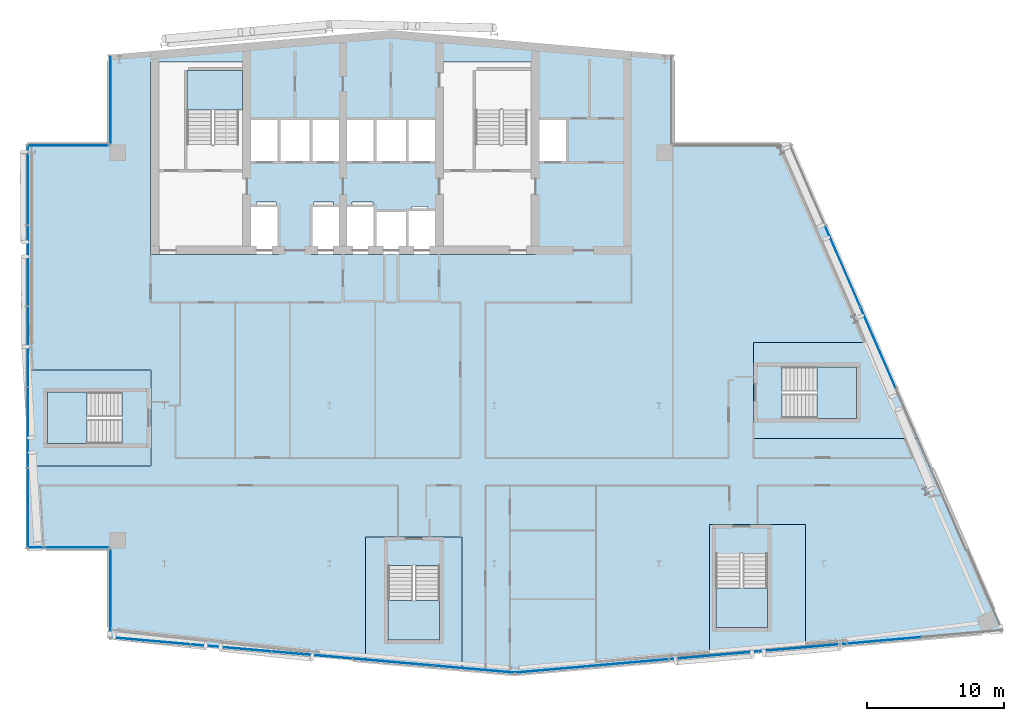
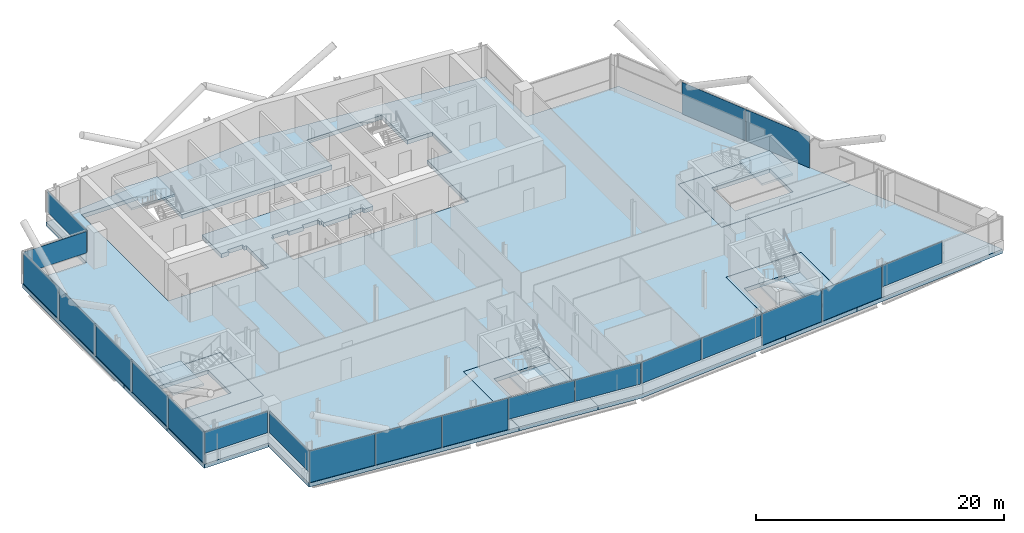
# One storey, part 13 of 26: 21 plates, 10 slabs, 13 elements without a shape of their own.
"""IFC4 building model written with IfcOpenShell, lengths in metres."""

from ifc_helpers import new_model, si_unit, direction, frame, origin, origin_2d, place, context, subcontext, project, spatial, polyline, rectangle, outline, extrude, material, layer, layer_set, type_object, element, aggregate, save


model = new_model("IFC4")

# Units and contexts
model_context = context("Model", 3, precision=1e-05, world=origin(), true_north=direction((0.0, 1.0)))
body_context = subcontext(model_context, "Body", "Model", "MODEL_VIEW")
ifc_project = project(units=[si_unit("LENGTHUNIT", "METRE"), si_unit("AREAUNIT", "SQUARE_METRE"), si_unit("VOLUMEUNIT", "CUBIC_METRE"), si_unit("PLANEANGLEUNIT", "RADIAN"), si_unit("MASSUNIT", "GRAM", prefix="KILO")], contexts=[model_context])

# Site, building, storey
site_placement = place(None, origin())
site = spatial("IfcSite", under=ifc_project, at=site_placement, CompositionType="ELEMENT")
building_placement = place(site_placement, origin())
building = spatial("IfcBuilding", under=site, at=building_placement, Name="Wharfspan Tower", CompositionType="ELEMENT")
storey_placement = place(building_placement, frame((0.0, 0.0, 214.300049)))
storey = spatial("IfcBuildingStorey", under=building, at=storey_placement, Name="L53", CompositionType="ELEMENT", Elevation=214.300049)

# Curtain wall, plates
ifc_material_1 = material(Name="Aluminium 6063-T6", Category="aluminium")
curtain_wall_type_1 = type_object("IfcCurtainWallType", Name="CURTAIN WALL FACETED FRONT", PredefinedType="NOTDEFINED", material=ifc_material_1)
curtain_wall_1_placement = place(storey_placement, origin())
curtain_wall_1 = element("IfcCurtainWall", 1, at=curtain_wall_1_placement, inside=storey, type_object=curtain_wall_type_1, Name="Curtain wall S1", PredefinedType="NOTDEFINED")
ifc_material_2 = material(Name="Glass clear low-iron double glazing", Category="glass")
ifc_layer_1 = layer(ifc_material_2, 0.040039)
ifc_layer_set_1 = layer_set([ifc_layer_1], Name="Glass clear low-iron double glazing")
plate_type_1 = type_object("IfcPlateType", Name="GLASS PANEL FACETED FRONT 40", PredefinedType="CURTAIN_PANEL", material=ifc_layer_set_1)
plate_1_placement = place(storey_placement, frame((40.655273, 4.328125, 1.0), z_axis=(0.0, 0.0, 1.0), x_axis=(0.996197, -0.087156, 0.0)))
plate_1 = element("IfcPlate", 2, at=plate_1_placement, type_object=plate_type_1, Name="Curtain wall S1 panel 4", PredefinedType="CURTAIN_PANEL", context=body_context, shape_type="SweptSolid", body=[
    extrude(rectangle(XDim=5.862549, YDim=0.040039, at=origin_2d()), origin(), (0.0, 0.0, 1.0), 2.120117),
])
plate_2_placement = place(storey_placement, frame((46.540283, 3.813232, 1.0), z_axis=(0.0, 0.0, 1.0), x_axis=(0.996197, -0.087156, 0.0)))
plate_2 = element("IfcPlate", 3, at=plate_2_placement, type_object=plate_type_1, Name="Curtain wall S1 panel 5", PredefinedType="CURTAIN_PANEL", context=body_context, shape_type="SweptSolid", body=[
    extrude(rectangle(XDim=5.83252, YDim=0.040039, at=origin_2d()), origin(), (0.0, 0.0, 1.0), 2.120117),
])

curtain_wall_2_placement = place(storey_placement, origin())
curtain_wall_2 = element("IfcCurtainWall", 4, at=curtain_wall_2_placement, inside=storey, type_object=curtain_wall_type_1, Name="Curtain wall S2", PredefinedType="NOTDEFINED")
plate_3_placement = place(storey_placement, frame((52.468018, 3.813965, 1.0), z_axis=(0.0, 0.0, 1.0), x_axis=(0.996197, 0.087156, 0.0)))
plate_3 = element("IfcPlate", 5, at=plate_3_placement, type_object=plate_type_1, Name="Curtain wall S2 panel 1", PredefinedType="CURTAIN_PANEL", context=body_context, shape_type="SweptSolid", body=[
    extrude(rectangle(XDim=5.849365, YDim=0.040039, at=origin_2d()), origin(), (0.0, 0.0, 1.0), 2.120117),
])
plate_4_placement = place(storey_placement, frame((58.369873, 4.330322, 1.0), z_axis=(0.0, 0.0, 1.0), x_axis=(0.996197, 0.087156, 0.0)))
plate_4 = element("IfcPlate", 6, at=plate_4_placement, type_object=plate_type_1, Name="Curtain wall S2 panel 2", PredefinedType="CURTAIN_PANEL", context=body_context, shape_type="SweptSolid", body=[
    extrude(rectangle(XDim=5.87915, YDim=0.040039, at=origin_2d()), origin(), (0.0, 0.0, 1.0), 2.120117),
])
plate_5_placement = place(storey_placement, frame((76.119873, 5.883301, 1.0), z_axis=(0.0, 0.0, 1.0), x_axis=(0.996197, 0.087156, 0.0)))
plate_5 = element("IfcPlate", 7, at=plate_5_placement, type_object=plate_type_1, Name="Curtain wall S2 panel 5", PredefinedType="CURTAIN_PANEL", context=body_context, shape_type="SweptSolid", body=[
    extrude(rectangle(XDim=5.87915, YDim=0.040039, at=origin_2d()), origin(), (0.0, 0.0, 1.0), 2.120117),
])

# Curtain wall, plate
curtain_wall_type_2 = type_object("IfcCurtainWallType", Name="CURTAIN WALL PROW AND END", PredefinedType="NOTDEFINED", material=ifc_material_1)
curtain_wall_3_placement = place(storey_placement, origin())
curtain_wall_3 = element("IfcCurtainWall", 8, at=curtain_wall_3_placement, inside=storey, type_object=curtain_wall_type_2, Name="Curtain wall NRW-V", PredefinedType="NOTDEFINED")
ifc_layer_2 = layer(ifc_material_2, 0.040039)
ifc_layer_set_2 = layer_set([ifc_layer_2], Name="Glass clear low-iron double glazing")
plate_type_2 = type_object("IfcPlateType", Name="GLASS PANEL PROW AND END 40", PredefinedType="CURTAIN_PANEL", material=ifc_layer_set_2)
plate_6_placement = place(storey_placement, frame((20.080078, 45.262451, 1.0), z_axis=(0.0, 0.0, 1.0), x_axis=(0.0, -1.0, 0.0)))
plate_6 = element("IfcPlate", 9, at=plate_6_placement, type_object=plate_type_2, Name="Curtain wall NRW-V panel 1", PredefinedType="CURTAIN_PANEL", context=body_context, shape_type="SweptSolid", body=[
    extrude(rectangle(XDim=6.405029, YDim=0.040039, at=origin_2d()), origin(), (0.0, 0.0, 1.0), 2.120117),
])
aggregate(curtain_wall_3, [plate_6])

curtain_wall_4_placement = place(storey_placement, origin())
curtain_wall_4 = element("IfcCurtainWall", 10, at=curtain_wall_4_placement, inside=storey, type_object=curtain_wall_type_2, Name="Curtain wall NRW-H", PredefinedType="NOTDEFINED")
plate_7_placement = place(storey_placement, frame((17.0, 41.919922, 1.0), z_axis=(0.0, 0.0, 1.0), x_axis=(-1.0, 0.0, 0.0)))
plate_7 = element("IfcPlate", 11, at=plate_7_placement, type_object=plate_type_2, Name="Curtain wall NRW-H panel 1", PredefinedType="CURTAIN_PANEL", context=body_context, shape_type="SweptSolid", body=[
    extrude(rectangle(XDim=5.879883, YDim=0.040039, at=origin_2d()), origin(), (0.0, 0.0, 1.0), 2.120117),
])
aggregate(curtain_wall_4, [plate_7])

curtain_wall_5_placement = place(storey_placement, origin())
curtain_wall_5 = element("IfcCurtainWall", 12, at=curtain_wall_5_placement, inside=storey, type_object=curtain_wall_type_2, Name="Curtain wall NFW-H", PredefinedType="NOTDEFINED")
plate_8_placement = place(storey_placement, frame((17.0, 12.679932, 1.0), z_axis=(0.0, 0.0, 1.0), x_axis=(1.0, 0.0, 0.0)))
plate_8 = element("IfcPlate", 13, at=plate_8_placement, type_object=plate_type_2, Name="Curtain wall NFW-H panel 1", PredefinedType="CURTAIN_PANEL", context=body_context, shape_type="SweptSolid", body=[
    extrude(rectangle(XDim=5.879883, YDim=0.040039, at=origin_2d()), origin(), (0.0, 0.0, 1.0), 2.120117),
])
aggregate(curtain_wall_5, [plate_8])

curtain_wall_6_placement = place(storey_placement, origin())
curtain_wall_6 = element("IfcCurtainWall", 14, at=curtain_wall_6_placement, inside=storey, type_object=curtain_wall_type_2, Name="Curtain wall NFW-V", PredefinedType="NOTDEFINED")
plate_9_placement = place(storey_placement, frame((20.080078, 9.337646, 1.0), z_axis=(0.0, 0.0, 1.0), x_axis=(0.0, -1.0, 0.0)))
plate_9 = element("IfcPlate", 15, at=plate_9_placement, type_object=plate_type_2, Name="Curtain wall NFW-V panel 1", PredefinedType="CURTAIN_PANEL", context=body_context, shape_type="SweptSolid", body=[
    extrude(rectangle(XDim=6.405029, YDim=0.040039, at=origin_2d()), origin(), (0.0, 0.0, 1.0), 2.120117),
])
aggregate(curtain_wall_6, [plate_9])

# Plate
ifc_material_3 = material(Name="Aluminium composite opaque insulated panel", Category="aluminium")
ifc_layer_3 = layer(ifc_material_3, 0.040039)
ifc_layer_set_3 = layer_set([ifc_layer_3], Name="Aluminium composite opaque insulated panel")
plate_type_3 = type_object("IfcPlateType", Name="INFILL PANEL FACETED FRONT OPAQUE 40", PredefinedType="SHEET", material=ifc_layer_set_3)
plate_10_placement = place(storey_placement, frame((22.970215, 5.875488, 0.0), z_axis=(0.0, 0.0, 1.0), x_axis=(0.996197, -0.087156, 0.0)))
plate_10 = element("IfcPlate", 16, at=plate_10_placement, type_object=plate_type_3, Name="Curtain wall S1 panel 1", PredefinedType="SHEET", context=body_context, shape_type="SweptSolid", body=[
    extrude(rectangle(XDim=5.83252, YDim=0.040039, at=origin_2d()), origin(), (0.0, 0.0, 1.0), 3.120117),
])

plate_11_placement = place(storey_placement, frame((28.855225, 5.360596, 0.0), z_axis=(0.0, 0.0, 1.0), x_axis=(0.996197, -0.087156, 0.0)))
plate_11 = element("IfcPlate", 17, at=plate_11_placement, type_object=plate_type_3, Name="Curtain wall S1 panel 2", PredefinedType="SHEET", context=body_context, shape_type="SweptSolid", body=[
    extrude(rectangle(XDim=5.862549, YDim=0.040039, at=origin_2d()), origin(), (0.0, 0.0, 1.0), 3.120117),
])

plate_12_placement = place(storey_placement, frame((34.755127, 4.844482, 0.0), z_axis=(0.0, 0.0, 1.0), x_axis=(0.996197, -0.087156, 0.0)))
plate_12 = element("IfcPlate", 18, at=plate_12_placement, type_object=plate_type_3, Name="Curtain wall S1 panel 3", PredefinedType="SHEET", context=body_context, shape_type="SweptSolid", body=[
    extrude(rectangle(XDim=5.862549, YDim=0.040039, at=origin_2d()), origin(), (0.0, 0.0, 1.0), 3.120117),
])

aggregate(curtain_wall_1, [plate_10, plate_11, plate_12, plate_1, plate_2])

plate_13_placement = place(storey_placement, frame((64.286377, 4.848145, 0.0), z_axis=(0.0, 0.0, 1.0), x_axis=(0.996197, 0.087156, 0.0)))
plate_13 = element("IfcPlate", 19, at=plate_13_placement, type_object=plate_type_3, Name="Curtain wall S2 panel 3", PredefinedType="SHEET", context=body_context, shape_type="SweptSolid", body=[
    extrude(rectangle(XDim=5.87915, YDim=0.040039, at=origin_2d()), origin(), (0.0, 0.0, 1.0), 3.120117),
])

plate_14_placement = place(storey_placement, frame((70.203125, 5.365723, 0.0), z_axis=(0.0, 0.0, 1.0), x_axis=(0.996197, 0.087156, 0.0)))
plate_14 = element("IfcPlate", 20, at=plate_14_placement, type_object=plate_type_3, Name="Curtain wall S2 panel 4", PredefinedType="SHEET", context=body_context, shape_type="SweptSolid", body=[
    extrude(rectangle(XDim=5.87915, YDim=0.040039, at=origin_2d()), origin(), (0.0, 0.0, 1.0), 3.120117),
])

aggregate(curtain_wall_2, [plate_3, plate_4, plate_13, plate_14, plate_5])

# Curtain wall, plates
curtain_wall_7_placement = place(storey_placement, origin())
curtain_wall_7 = element("IfcCurtainWall", 21, at=curtain_wall_7_placement, inside=storey, type_object=curtain_wall_type_2, Name="Curtain wall E", PredefinedType="NOTDEFINED")
ifc_layer_4 = layer(ifc_material_3, 0.040039)
ifc_layer_set_4 = layer_set([ifc_layer_4], Name="Aluminium composite opaque insulated panel")
plate_type_4 = type_object("IfcPlateType", Name="INFILL PANEL PROW AND END OPAQUE 40", PredefinedType="SHEET", material=ifc_layer_set_4)
plate_15_placement = place(storey_placement, frame((75.948486, 27.218018, 0.0), z_axis=(0.0, 0.0, 1.0), x_axis=(-0.398727, 0.917072, 0.0)))
plate_15 = element("IfcPlate", 22, at=plate_15_placement, type_object=plate_type_4, Name="Curtain wall E panel 4", PredefinedType="SHEET", context=body_context, shape_type="SweptSolid", body=[
    extrude(rectangle(XDim=6.373535, YDim=0.040039, at=origin_2d()), origin(), (0.0, 0.0, 1.0), 3.120117),
])
plate_16_placement = place(storey_placement, frame((73.383057, 33.118164, 0.0), z_axis=(0.0, 0.0, 1.0), x_axis=(-0.398727, 0.917072, 0.0)))
plate_16 = element("IfcPlate", 23, at=plate_16_placement, type_object=plate_type_4, Name="Curtain wall E panel 5", PredefinedType="SHEET", context=body_context, shape_type="SweptSolid", body=[
    extrude(rectangle(XDim=6.373535, YDim=0.040039, at=origin_2d()), origin(), (0.0, 0.0, 1.0), 3.120117),
])
aggregate(curtain_wall_7, [plate_15, plate_16])

curtain_wall_8_placement = place(storey_placement, origin())
curtain_wall_8 = element("IfcCurtainWall", 24, at=curtain_wall_8_placement, inside=storey, type_object=curtain_wall_type_2, Name="Curtain wall W", PredefinedType="NOTDEFINED")
plate_17_placement = place(storey_placement, frame((14.080078, 39.044922, 0.0), z_axis=(0.0, 0.0, 1.0), x_axis=(0.0, -1.0, 0.0)))
plate_17 = element("IfcPlate", 25, at=plate_17_placement, type_object=plate_type_4, Name="Curtain wall W panel 1", PredefinedType="SHEET", context=body_context, shape_type="SweptSolid", body=[
    extrude(rectangle(XDim=5.790039, YDim=0.040039, at=origin_2d()), origin(), (0.0, 0.0, 1.0), 3.120117),
])
plate_18_placement = place(storey_placement, frame((14.080078, 33.179932, 0.0), z_axis=(0.0, 0.0, 1.0), x_axis=(0.0, -1.0, 0.0)))
plate_18 = element("IfcPlate", 26, at=plate_18_placement, type_object=plate_type_4, Name="Curtain wall W panel 2", PredefinedType="SHEET", context=body_context, shape_type="SweptSolid", body=[
    extrude(rectangle(XDim=5.820068, YDim=0.040039, at=origin_2d()), origin(), (0.0, 0.0, 1.0), 3.120117),
])
plate_19_placement = place(storey_placement, frame((14.080078, 27.300049, 0.0), z_axis=(0.0, 0.0, 1.0), x_axis=(0.0, -1.0, 0.0)))
plate_19 = element("IfcPlate", 27, at=plate_19_placement, type_object=plate_type_4, Name="Curtain wall W panel 3", PredefinedType="SHEET", context=body_context, shape_type="SweptSolid", body=[
    extrude(rectangle(XDim=5.820068, YDim=0.040039, at=origin_2d()), origin(), (0.0, 0.0, 1.0), 3.120117),
])
plate_20_placement = place(storey_placement, frame((14.080078, 21.419922, 0.0), z_axis=(0.0, 0.0, 1.0), x_axis=(0.0, -1.0, 0.0)))
plate_20 = element("IfcPlate", 28, at=plate_20_placement, type_object=plate_type_4, Name="Curtain wall W panel 4", PredefinedType="SHEET", context=body_context, shape_type="SweptSolid", body=[
    extrude(rectangle(XDim=5.820068, YDim=0.040039, at=origin_2d()), origin(), (0.0, 0.0, 1.0), 3.120117),
])
plate_21_placement = place(storey_placement, frame((14.080078, 15.554932, 0.0), z_axis=(0.0, 0.0, 1.0), x_axis=(0.0, -1.0, 0.0)))
plate_21 = element("IfcPlate", 29, at=plate_21_placement, type_object=plate_type_4, Name="Curtain wall W panel 5", PredefinedType="SHEET", context=body_context, shape_type="SweptSolid", body=[
    extrude(rectangle(XDim=5.790039, YDim=0.040039, at=origin_2d()), origin(), (0.0, 0.0, 1.0), 3.120117),
])
aggregate(curtain_wall_8, [plate_17, plate_18, plate_19, plate_20, plate_21])

# Slabs
ifc_material_4 = material(Name="Concrete C40/50", Category="concrete")
ifc_layer_5 = layer(ifc_material_4, 0.399902)
ifc_layer_set_5 = layer_set([ifc_layer_5], Name="Concrete C40/50")
slab_type_1 = type_object("IfcSlabType", Name="Post-tensioned flat slab 400", PredefinedType="FLOOR", material=ifc_layer_set_5)
slab_1_placement = place(storey_placement, frame((0.0, 0.0, -0.400146)))
element("IfcSlab", 30, at=slab_1_placement, inside=storey, type_object=slab_type_1, Name="Floor slab L53", PredefinedType="FLOOR", context=body_context, shape_type="SweptSolid", body=[
    extrude(outline(polyline([(38.64209, 4.444092), (38.64209, 13.453125), (45.662109, 13.453125), (45.662109, 3.829834), (49.5, 3.494141), (63.658691, 4.73291), (63.658691, 14.356201), (70.678711, 14.356201), (70.678711, 5.347168), (85.0, 6.600098), (78.91748, 20.590088), (66.859619, 20.590088), (66.859619, 27.610107), (75.865234, 27.610107), (69.608643, 42.0), (61.0, 42.0), (61.0, 48.524902), (40.5, 50.318359), (20.0, 48.524902), (20.0, 42.0), (14.0, 42.0), (14.0, 25.610107), (23.01001, 25.610107), (23.01001, 18.590088), (14.0, 18.590088), (14.0, 12.600098), (20.0, 12.600098), (20.0, 6.075195), (38.64209, 4.444092)]), holes=[polyline([(32.126709, 37.560059), (32.343262, 37.560059), (32.343262, 33.98999), (22.98999, 33.98999), (22.98999, 48.01001), (30.01001, 48.01001), (30.01001, 43.909912), (43.98999, 43.909912), (43.98999, 48.01001), (51.01001, 48.01001), (51.01001, 43.909912), (53.343262, 43.909912), (53.343262, 40.689941), (51.01001, 40.689941), (51.01001, 33.98999), (34.656738, 33.98999), (34.656738, 37.560059), (34.873291, 37.560059), (34.873291, 37.810059), (36.293213, 37.810059), (36.293213, 37.560059), (37.666748, 37.560059), (37.666748, 37.810059), (39.166748, 37.810059), (39.166748, 37.560059), (39.343262, 37.560059), (39.343262, 37.209961), (41.656738, 37.209961), (41.656738, 37.26001), (42.023193, 37.26001), (42.023193, 37.51001), (43.143311, 37.51001), (43.143311, 37.26001), (43.98999, 37.26001), (43.98999, 40.689941), (30.01001, 40.689941), (30.01001, 37.560059), (30.706787, 37.560059), (30.706787, 37.810059), (32.126709, 37.810059), (32.126709, 37.560059)])]), origin(), (0.0, 0.0, 1.0), 0.400146),
])
slab_2_placement = place(storey_placement, frame((0.0, 0.0, -0.400146)))
element("IfcSlab", 31, at=slab_2_placement, inside=storey, type_object=slab_type_1, Name="Core floor slab L53 part 1", PredefinedType="FLOOR", context=body_context, shape_type="SweptSolid", body=[
    extrude(outline(polyline([(23.0, 19.925049), (23.0, 24.274902), (23.0, 25.600098), (14.0, 25.600098), (14.0, 18.600098), (23.0, 18.600098), (23.0, 19.925049)]), holes=[polyline([(20.899902, 23.977051), (20.900146, 23.977051), (20.900391, 23.977051), (20.900635, 23.976807), (20.900879, 23.976807), (20.900879, 23.976807), (20.901123, 23.976807), (20.901367, 23.976562), (20.901367, 23.976318), (20.901611, 23.976318), (20.901611, 23.976074), (20.901855, 23.97583), (20.901855, 23.97583), (20.901855, 23.975586), (20.9021, 23.975342), (20.9021, 23.975098), (20.9021, 23.975098), (20.9021, 20.225098), (20.9021, 20.224854), (20.9021, 20.224609), (20.901855, 20.224365), (20.901855, 20.224121), (20.901855, 20.224121), (20.901611, 20.223877), (20.901611, 20.223633), (20.901367, 20.223633), (20.901367, 20.223389), (20.901123, 20.223389), (20.900879, 20.223145), (20.900879, 20.223145), (20.900635, 20.223145), (20.900391, 20.2229), (20.900146, 20.2229), (20.899902, 20.2229), (15.5, 20.2229), (15.499756, 20.2229), (15.499512, 20.2229), (15.499512, 20.223145), (15.499268, 20.223145), (15.499023, 20.223145), (15.498779, 20.223389), (15.498779, 20.223389), (15.498535, 20.223633), (15.498535, 20.223633), (15.498291, 20.223877), (15.498291, 20.224121), (15.498291, 20.224121), (15.498047, 20.224365), (15.498047, 20.224609), (15.498047, 20.224854), (15.498047, 20.225098), (15.498047, 23.975098), (15.498047, 23.975098), (15.498047, 23.975342), (15.498047, 23.975586), (15.498291, 23.97583), (15.498291, 23.97583), (15.498291, 23.976074), (15.498535, 23.976318), (15.498535, 23.976318), (15.498779, 23.976562), (15.498779, 23.976807), (15.499023, 23.976807), (15.499268, 23.976807), (15.499512, 23.976807), (15.499512, 23.977051), (15.499756, 23.977051), (15.5, 23.977051), (20.899902, 23.977051)])]), origin(), (0.0, 0.0, 1.0), 0.400146),
])
slab_3_placement = place(storey_placement, frame((0.0, 0.0, -0.400146)))
element("IfcSlab", 32, at=slab_3_placement, inside=storey, type_object=slab_type_1, Name="Core floor slab L53 part 3", PredefinedType="FLOOR", context=body_context, shape_type="SweptSolid", body=[
    extrude(outline(polyline([(44.327148, 13.443115), (39.977051, 13.443115), (38.6521, 13.443115), (38.6521, 4.443115), (45.6521, 3.830811), (45.6521, 13.443115), (44.327148, 13.443115)]), holes=[polyline([(40.275146, 11.343262), (40.275146, 11.343506), (40.275146, 11.343506), (40.275146, 11.34375), (40.275391, 11.343994), (40.275391, 11.344238), (40.275391, 11.344238), (40.275635, 11.344482), (40.275635, 11.344482), (40.275879, 11.344727), (40.275879, 11.344971), (40.276123, 11.344971), (40.276367, 11.345215), (40.276611, 11.345215), (40.276611, 11.345215), (40.276855, 11.345215), (40.2771, 11.345215), (44.0271, 11.345215), (44.027344, 11.345215), (44.027588, 11.345215), (44.027588, 11.345215), (44.027832, 11.345215), (44.028076, 11.344971), (44.02832, 11.344971), (44.02832, 11.344727), (44.028564, 11.344482), (44.028809, 11.344482), (44.028809, 11.344238), (44.028809, 11.344238), (44.029053, 11.343994), (44.029053, 11.34375), (44.029053, 11.343506), (44.029053, 11.343506), (44.029053, 11.343262), (44.029053, 5.943115), (44.029053, 5.943115), (44.029053, 5.942871), (44.029053, 5.942627), (44.029053, 5.942383), (44.028809, 5.942383), (44.028809, 5.942139), (44.028809, 5.941895), (44.028564, 5.941895), (44.02832, 5.94165), (44.02832, 5.94165), (44.028076, 5.941406), (44.027832, 5.941406), (44.027588, 5.941406), (44.027588, 5.941406), (44.027344, 5.941162), (44.0271, 5.941162), (40.2771, 5.941162), (40.276855, 5.941162), (40.276611, 5.941406), (40.276611, 5.941406), (40.276367, 5.941406), (40.276123, 5.941406), (40.275879, 5.94165), (40.275879, 5.94165), (40.275635, 5.941895), (40.275635, 5.941895), (40.275391, 5.942139), (40.275391, 5.942383), (40.275391, 5.942383), (40.275146, 5.942627), (40.275146, 5.942871), (40.275146, 5.943115), (40.275146, 5.943115), (40.275146, 11.343262)])]), origin(), (0.0, 0.0, 1.0), 0.400146),
])
slab_4_placement = place(storey_placement, frame((0.0, 0.0, -0.400146)))
element("IfcSlab", 33, at=slab_4_placement, inside=storey, type_object=slab_type_1, Name="Core floor slab L53 part 4", PredefinedType="FLOOR", context=body_context, shape_type="SweptSolid", body=[
    extrude(outline(polyline([(70.668701, 14.346191), (68.193848, 14.346191), (63.84375, 14.346191), (63.668701, 14.346191), (63.668701, 4.733887), (70.668701, 5.346191), (70.668701, 14.346191)]), holes=[polyline([(64.141846, 12.246094), (64.141846, 12.246338), (64.141846, 12.246582), (64.141846, 12.246826), (64.14209, 12.246826), (64.14209, 12.24707), (64.14209, 12.247314), (64.142334, 12.247559), (64.142334, 12.247559), (64.142578, 12.247803), (64.142578, 12.247803), (64.142822, 12.247803), (64.143066, 12.248047), (64.143311, 12.248047), (64.143311, 12.248047), (64.143555, 12.248291), (64.143799, 12.248291), (67.893799, 12.248291), (67.894043, 12.248291), (67.894287, 12.248047), (67.894287, 12.248047), (67.894531, 12.248047), (67.894775, 12.247803), (67.89502, 12.247803), (67.89502, 12.247803), (67.895264, 12.247559), (67.895508, 12.247559), (67.895508, 12.247314), (67.895508, 12.24707), (67.895752, 12.246826), (67.895752, 12.246826), (67.895752, 12.246582), (67.895752, 12.246338), (67.895752, 12.246094), (67.895752, 6.846191), (67.895752, 6.845947), (67.895752, 6.845703), (67.895752, 6.845703), (67.895752, 6.845459), (67.895508, 6.845215), (67.895508, 6.845215), (67.895508, 6.844971), (67.895264, 6.844727), (67.89502, 6.844482), (67.89502, 6.844482), (67.894775, 6.844482), (67.894531, 6.844238), (67.894287, 6.844238), (67.894287, 6.844238), (67.894043, 6.844238), (67.893799, 6.844238), (64.143799, 6.844238), (64.143555, 6.844238), (64.143311, 6.844238), (64.143311, 6.844238), (64.143066, 6.844238), (64.142822, 6.844482), (64.142578, 6.844482), (64.142578, 6.844482), (64.142334, 6.844727), (64.142334, 6.844971), (64.14209, 6.845215), (64.14209, 6.845215), (64.14209, 6.845459), (64.141846, 6.845703), (64.141846, 6.845703), (64.141846, 6.845947), (64.141846, 6.846191), (64.141846, 12.246094)])]), origin(), (0.0, 0.0, 1.0), 0.400146),
])
slab_5_placement = place(storey_placement, frame((0.0, 0.0, -0.400146)))
element("IfcSlab", 34, at=slab_5_placement, inside=storey, type_object=slab_type_1, Name="Core floor slab L53 part 5", PredefinedType="FLOOR", context=body_context, shape_type="SweptSolid", body=[
    extrude(outline(polyline([(75.869629, 27.600098), (66.869629, 27.600098), (66.869629, 26.125), (66.869629, 21.774902), (66.869629, 20.600098), (78.913086, 20.600098), (75.869629, 27.600098)]), holes=[polyline([(68.967529, 25.824951), (68.967529, 25.825195), (68.967529, 25.825439), (68.967773, 25.825684), (68.967773, 25.825684), (68.967773, 25.825928), (68.968018, 25.826172), (68.968018, 25.826416), (68.968262, 25.826416), (68.968262, 25.826416), (68.968506, 25.82666), (68.968506, 25.826904), (68.96875, 25.826904), (68.968994, 25.826904), (68.969238, 25.826904), (68.969482, 25.826904), (68.969482, 25.826904), (74.369629, 25.826904), (74.369873, 25.826904), (74.370117, 25.826904), (74.370117, 25.826904), (74.370361, 25.826904), (74.370605, 25.826904), (74.370605, 25.82666), (74.37085, 25.826416), (74.371094, 25.826416), (74.371094, 25.826416), (74.371094, 25.826172), (74.371338, 25.825928), (74.371338, 25.825684), (74.371582, 25.825684), (74.371582, 25.825439), (74.371582, 25.825195), (74.371582, 25.824951), (74.371582, 22.074951), (74.371582, 22.074707), (74.371582, 22.074707), (74.371582, 22.074463), (74.371338, 22.074219), (74.371338, 22.074219), (74.371094, 22.073975), (74.371094, 22.07373), (74.371094, 22.073486), (74.37085, 22.073486), (74.370605, 22.073242), (74.370605, 22.073242), (74.370361, 22.073242), (74.370117, 22.072998), (74.370117, 22.072998), (74.369873, 22.072998), (74.369629, 22.072998), (68.969482, 22.072998), (68.969482, 22.072998), (68.969238, 22.072998), (68.968994, 22.072998), (68.96875, 22.073242), (68.968506, 22.073242), (68.968506, 22.073242), (68.968262, 22.073486), (68.968262, 22.073486), (68.968018, 22.07373), (68.968018, 22.073975), (68.967773, 22.074219), (68.967773, 22.074219), (68.967773, 22.074463), (68.967529, 22.074707), (68.967529, 22.074707), (68.967529, 22.074951), (68.967529, 25.824951)])]), origin(), (0.0, 0.0, 1.0), 0.400146),
])

# Stair, slab
stair_type = type_object("IfcStairType", Name="Half-turn stair 20 risers 180 mm", PredefinedType="HALF_TURN_STAIR", material=ifc_material_4)
stair_1_placement = place(storey_placement, origin())
stair_1 = element("IfcStair", 35, at=stair_1_placement, inside=storey, type_object=stair_type, Name="L53 stair ST1", PredefinedType="HALF_TURN_STAIR")
ifc_layer_6 = layer(ifc_material_4, 0.199951)
ifc_layer_set_6 = layer_set([ifc_layer_6], Name="Concrete C40/50")
slab_type_2 = type_object("IfcSlabType", Name="Stair landing 200", PredefinedType="LANDING", material=ifc_layer_set_6)
slab_6_placement = place(storey_placement, frame((0.0, 0.0, 1.599854)))
slab_6 = element("IfcSlab", 36, at=slab_6_placement, type_object=slab_type_2, Name="ST1 landing 1", PredefinedType="LANDING", context=body_context, shape_type="SweptSolid", body=[
    extrude(outline(polyline([(25.649902, 44.52002), (29.699951, 44.52002), (29.699951, 47.399902), (25.649902, 47.399902), (25.649902, 44.52002)])), origin(), (0.0, 0.0, 1.0), 0.200195),
])
aggregate(stair_1, [slab_6])

stair_2_placement = place(storey_placement, origin())
stair_2 = element("IfcStair", 37, at=stair_2_placement, inside=storey, type_object=stair_type, Name="L53 stair ST3", PredefinedType="HALF_TURN_STAIR")
slab_7_placement = place(storey_placement, frame((0.0, 0.0, 1.599854)))
slab_7 = element("IfcSlab", 38, at=slab_7_placement, type_object=slab_type_2, Name="ST3 landing 1", PredefinedType="LANDING", context=body_context, shape_type="SweptSolid", body=[
    extrude(outline(polyline([(18.379883, 23.975098), (15.5, 23.975098), (15.5, 20.225098), (18.379883, 20.225098), (18.379883, 23.975098)])), origin(), (0.0, 0.0, 1.0), 0.200195),
])
aggregate(stair_2, [slab_7])

stair_3_placement = place(storey_placement, origin())
stair_3 = element("IfcStair", 39, at=stair_3_placement, inside=storey, type_object=stair_type, Name="L53 stair ST4", PredefinedType="HALF_TURN_STAIR")
slab_8_placement = place(storey_placement, frame((0.0, 0.0, 1.599854)))
slab_8 = element("IfcSlab", 40, at=slab_8_placement, type_object=slab_type_2, Name="ST4 landing 1", PredefinedType="LANDING", context=body_context, shape_type="SweptSolid", body=[
    extrude(outline(polyline([(40.2771, 8.823242), (40.2771, 5.943115), (44.0271, 5.943115), (44.0271, 8.823242), (40.2771, 8.823242)])), origin(), (0.0, 0.0, 1.0), 0.200195),
])
aggregate(stair_3, [slab_8])

stair_4_placement = place(storey_placement, origin())
stair_4 = element("IfcStair", 41, at=stair_4_placement, inside=storey, type_object=stair_type, Name="L53 stair ST5", PredefinedType="HALF_TURN_STAIR")
slab_9_placement = place(storey_placement, frame((0.0, 0.0, 1.599854)))
slab_9 = element("IfcSlab", 42, at=slab_9_placement, type_object=slab_type_2, Name="ST5 landing 1", PredefinedType="LANDING", context=body_context, shape_type="SweptSolid", body=[
    extrude(outline(polyline([(64.143799, 9.726074), (64.143799, 6.846191), (67.893799, 6.846191), (67.893799, 9.726074), (64.143799, 9.726074)])), origin(), (0.0, 0.0, 1.0), 0.200195),
])
aggregate(stair_4, [slab_9])

stair_5_placement = place(storey_placement, origin())
stair_5 = element("IfcStair", 43, at=stair_5_placement, inside=storey, type_object=stair_type, Name="L53 stair ST6", PredefinedType="HALF_TURN_STAIR")
slab_10_placement = place(storey_placement, frame((0.0, 0.0, 1.599854)))
slab_10 = element("IfcSlab", 44, at=slab_10_placement, type_object=slab_type_2, Name="ST6 landing 1", PredefinedType="LANDING", context=body_context, shape_type="SweptSolid", body=[
    extrude(outline(polyline([(71.489502, 22.074951), (74.369629, 22.074951), (74.369629, 25.824951), (71.489502, 25.824951), (71.489502, 22.074951)])), origin(), (0.0, 0.0, 1.0), 0.200195),
])
aggregate(stair_5, [slab_10])

save(model, "model.ifc")
